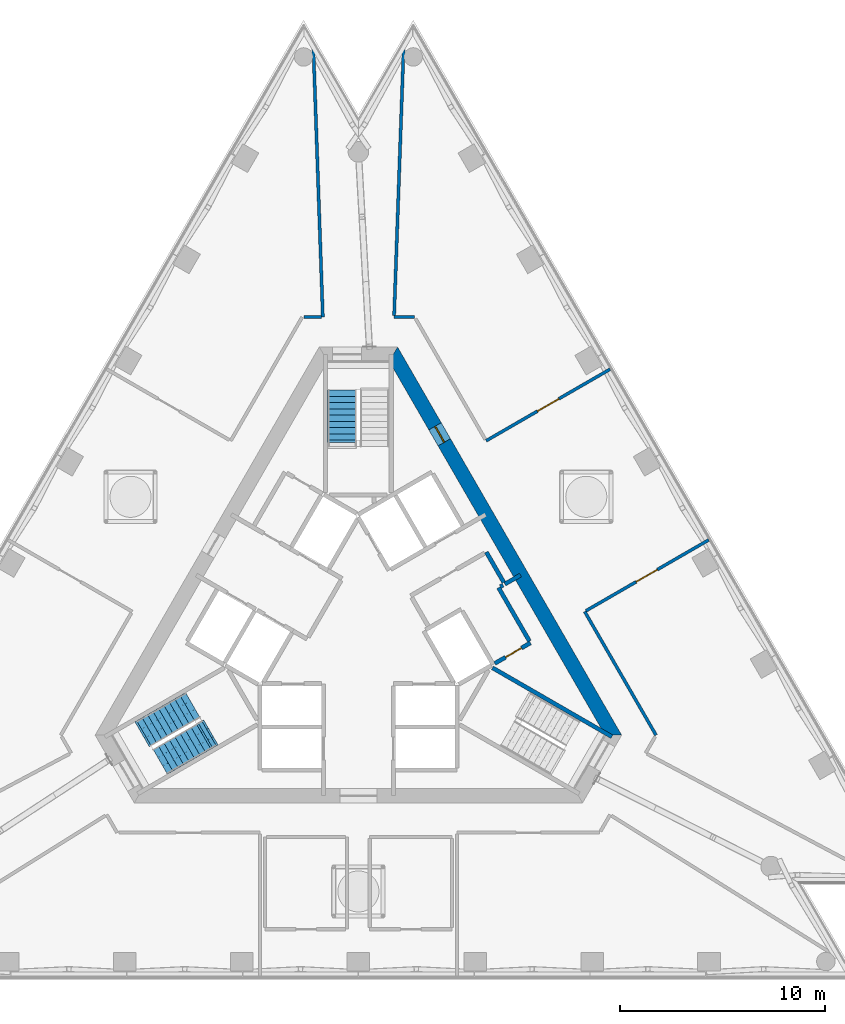
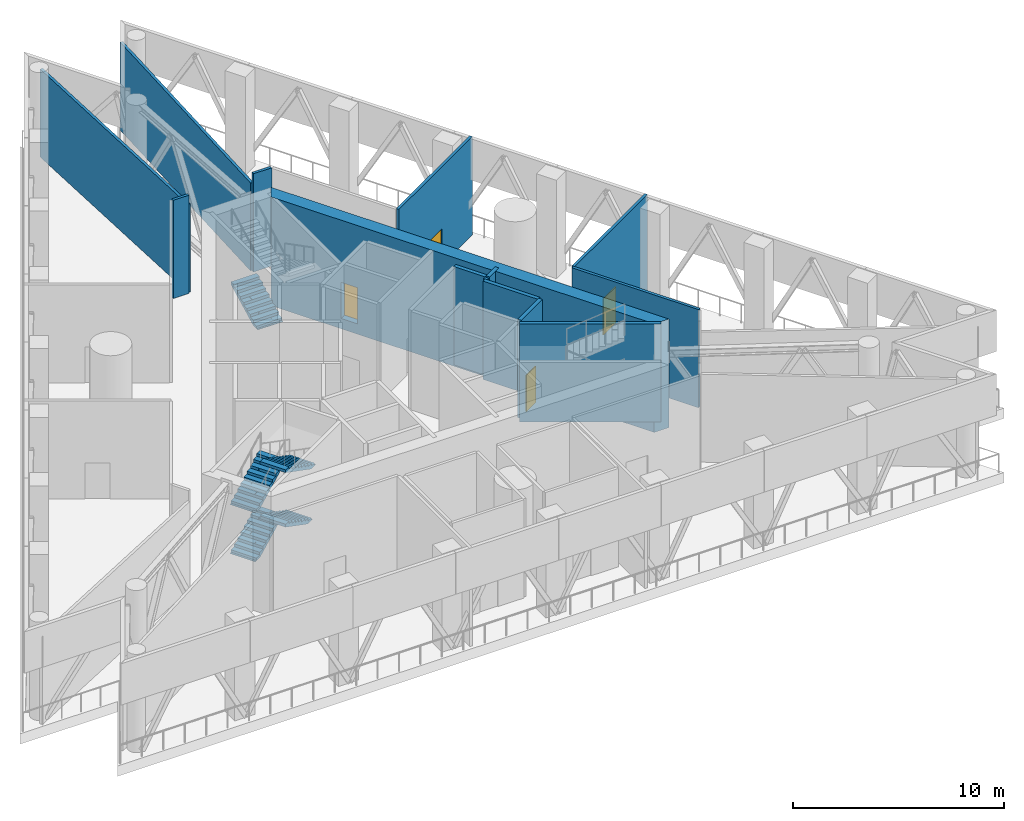
# One storey, part 10 of 15: 14 walls, 5 stair flights, 4 doors, 4 openings, 2 elements without a shape of their own.
"""IFC4 building model written with IfcOpenShell, lengths in metres."""

import ifcopenshell
import ifcopenshell.guid

model = None  # the IFC model being written
_history = None  # IfcOwnerHistory: only IFC2X3 demands one
_inside = {}  # id of a spatial element -> (the spatial element, [elements in it])
_under = {}  # id of a project, library or spatial element -> (it, [spatial elements below it])
_declared = {}  # id of a project -> (the project, [libraries it declares])
_typed = {}  # id of a type object -> (the type object, [elements of that type])
_made_of = {}  # id of a material, layer set ... -> (it, [elements and type objects made of it])


def new_model(schema):
    """Start an empty IFC model of exactly this schema.

    Asked for "IFC4X3", IfcOpenShell would pick the latest addendum, in which some entities
    have other attributes; the version numbers below select the first issue.
    IFC2X3 requires an IfcOwnerHistory on every rooted entity: one is made here for all.
    """
    global model, _history
    if schema == "IFC4X3":
        model = ifcopenshell.file(schema_version=(4, 3, 0, 0))
    else:
        model = ifcopenshell.file(schema=schema)
    _inside.clear()
    _under.clear()
    _declared.clear()
    _typed.clear()
    _made_of.clear()
    _history = None
    if model.schema == "IFC2X3":
        org = make("IfcOrganization", Name="unknown")
        user = make(
            "IfcPersonAndOrganization",
            ThePerson=make("IfcPerson", FamilyName="unknown"),
            TheOrganization=org,
        )
        app = make(
            "IfcApplication",
            ApplicationDeveloper=org,
            Version="unknown",
            ApplicationFullName="unknown",
            ApplicationIdentifier="unknown",
        )
        _history = make(
            "IfcOwnerHistory",
            OwningUser=user,
            OwningApplication=app,
            ChangeAction="ADDED",
            CreationDate=0,
        )
    return model


def make(cls, **values):
    """One entity of the class cls with the attributes given. An attribute that is None is left unset."""
    return model.create_entity(
        cls, **{name: value for name, value in values.items() if value is not None}
    )


def rooted(cls, **values):
    """An entity with a GlobalId (a new one), such as an element, a storey or a relation."""
    return make(cls, GlobalId=ifcopenshell.guid.new(), OwnerHistory=_history, **values)


def si_unit(unit_type, name, prefix=None):
    """IfcSIUnit, for example si_unit("LENGTHUNIT", "METRE", prefix="MILLI")."""
    return make("IfcSIUnit", UnitType=unit_type, Prefix=prefix, Name=name)


def assignment(units):
    """IfcUnitAssignment: the units of a project."""
    return None if units is None else make("IfcUnitAssignment", Units=units)


def point(xyz):
    """IfcCartesianPoint."""
    return None if xyz is None else make("IfcCartesianPoint", Coordinates=xyz)


def direction(xyz):
    """IfcDirection."""
    return None if xyz is None else make("IfcDirection", DirectionRatios=xyz)


def frame(location, z_axis=None, x_axis=None):
    """IfcAxis2Placement3D, a coordinate frame: its origin and axes. An axis left out is left unset."""
    return make(
        "IfcAxis2Placement3D",
        Location=point(location),
        Axis=direction(z_axis),
        RefDirection=direction(x_axis),
    )


def frame_2d(location, x_axis=None):
    """IfcAxis2Placement2D, a coordinate frame in the plane: its origin and x axis."""
    return make(
        "IfcAxis2Placement2D", Location=point(location), RefDirection=direction(x_axis)
    )


def origin():
    """The frame at (0, 0, 0) with its axes left unset."""
    return frame((0.0, 0.0, 0.0))


def place(relative_to, where):
    """IfcLocalPlacement: puts the frame where relative to a parent placement (None: the world)."""
    return make(
        "IfcLocalPlacement", PlacementRelTo=relative_to, RelativePlacement=where
    )


def context(
    kind, dimensions, precision=None, world=None, true_north=None, identifier=None
):
    """IfcGeometricRepresentationContext, for example the 3D "Model" context."""
    return make(
        "IfcGeometricRepresentationContext",
        ContextIdentifier=identifier,
        ContextType=kind,
        CoordinateSpaceDimension=dimensions,
        Precision=precision,
        WorldCoordinateSystem=world,
        TrueNorth=true_north,
    )


def subcontext(parent, identifier, kind, view, scale=None):
    """IfcGeometricRepresentationSubContext, for example "Body" below "Model"."""
    return make(
        "IfcGeometricRepresentationSubContext",
        ContextIdentifier=identifier,
        ContextType=kind,
        ParentContext=parent,
        TargetScale=scale,
        TargetView=view,
    )


def project(units=None, contexts=None):
    """IfcProject with its units and contexts."""
    return rooted(
        "IfcProject",
        Name="project",
        RepresentationContexts=contexts,
        UnitsInContext=assignment(units),
    )


def spatial(cls, under=None, at=None, **own):
    """A site, building, storey or space (cls), placed at a placement, below another one or the project."""
    s = rooted(cls, ObjectPlacement=at, **own)
    if under is not None:
        _under.setdefault(under.id(), (under, []))[1].append(s)
    return s


def polyline(points):
    """IfcPolyline through the points."""
    return make("IfcPolyline", Points=[point(p) for p in points])


def profile(cls, at=None, kind="AREA", **sizes):
    """A parametric profile (cls). Its sizes go by their IFC names, for example OverallWidth=200.0."""
    return make(cls, ProfileType=kind, Position=at, **sizes)


def rectangle(**sizes):
    """IfcRectangleProfileDef."""
    return profile("IfcRectangleProfileDef", **sizes)


def outline(outer, holes=None, kind="AREA"):
    """IfcArbitraryClosedProfileDef: a profile drawn as a closed curve; with holes, ...WithVoids."""
    if holes is None:
        return make("IfcArbitraryClosedProfileDef", ProfileType=kind, OuterCurve=outer)
    return make(
        "IfcArbitraryProfileDefWithVoids",
        ProfileType=kind,
        OuterCurve=outer,
        InnerCurves=holes,
    )


def extrude(swept, where, along, depth):
    """IfcExtrudedAreaSolid: the profile swept, set in the frame where, extruded along a direction by depth."""
    return make(
        "IfcExtrudedAreaSolid",
        SweptArea=swept,
        Position=where,
        ExtrudedDirection=direction(along),
        Depth=depth,
    )


def shape(context_of_items, identifier, shape_type, items):
    """IfcShapeRepresentation: the items that make up one representation, for example the "Body"."""
    return make(
        "IfcShapeRepresentation",
        ContextOfItems=context_of_items,
        RepresentationIdentifier=identifier,
        RepresentationType=shape_type,
        Items=items,
    )


def material(Name=None, Category=None):
    """IfcMaterial."""
    return make("IfcMaterial", Name=Name, Category=Category)


def layer(
    of_material, thickness, ventilated=None, Name=None, Category=None, Priority=None
):
    """IfcMaterialLayer: one layer of a wall or slab, of a material (None: an air gap)."""
    return make(
        "IfcMaterialLayer",
        Material=of_material,
        LayerThickness=thickness,
        IsVentilated=ventilated,
        Name=Name,
        Category=Category,
        Priority=Priority,
    )


def layer_set(layers, Name=None):
    """IfcMaterialLayerSet."""
    return make("IfcMaterialLayerSet", MaterialLayers=layers, LayerSetName=Name)


def made_of(thing, what):
    """Note that an element or type object is made of a material, layer set ...; save() writes the relation."""
    if what is not None:
        _made_of.setdefault(what.id(), (what, []))[1].append(thing)
    return thing


def type_object(cls, material=None, **own):
    """A type object (cls), such as IfcWallType, which elements share."""
    return made_of(rooted(cls, **own), material)


def element(
    cls,
    number,
    at=None,
    inside=None,
    cuts=None,
    type_object=None,
    material=None,
    context=None,
    identifier="Body",
    shape_type=None,
    held_by="IfcProductDefinitionShape",
    body=None,
    shapes=None,
    **own,
):
    """One element of the class cls, such as IfcWall. Its Tag is "e" and its number.

    at: its placement. inside: the storey or other place that contains it. cuts: it is an
    opening in that element (IfcRelVoidsElement). A single representation is given by context,
    identifier, shape_type and body (its items); several are given by shapes. held_by: the class
    of the entity that holds the representations. save() writes the other relations.
    """
    e = rooted(cls, Tag="e%d" % number, ObjectPlacement=at, **own)
    if body is not None:
        shapes = [shape(context, identifier, shape_type, body)]
    if shapes is not None:
        e.Representation = make(held_by, Representations=shapes)
    if inside is not None:
        _inside.setdefault(inside.id(), (inside, []))[1].append(e)
    if cuts is not None:
        rooted(
            "IfcRelVoidsElement", RelatingBuildingElement=cuts, RelatedOpeningElement=e
        )
    if type_object is not None:
        _typed.setdefault(type_object.id(), (type_object, []))[1].append(e)
    return made_of(e, material)


def fill(opening, filler):
    """IfcRelFillsElement: the door or window that sits in an opening."""
    return rooted(
        "IfcRelFillsElement",
        RelatingOpeningElement=opening,
        RelatedBuildingElement=filler,
    )


def aggregate(whole, parts):
    """IfcRelAggregates: a whole, such as a stair, and the parts it consists of."""
    return rooted("IfcRelAggregates", RelatingObject=whole, RelatedObjects=parts)


def save(model, path):
    """Write the relations noted so far, then the file.

    IfcRelAggregates (storeys below a building ...), IfcRelContainedInSpatialStructure (elements
    in a storey), IfcRelDefinesByType, IfcRelAssociatesMaterial and IfcRelDeclares: one each for
    every whole, place, type object, material and project.
    """
    for whole, parts in _under.values():
        aggregate(whole, parts)
    for where, things in _inside.values():
        rooted(
            "IfcRelContainedInSpatialStructure",
            RelatedElements=things,
            RelatingStructure=where,
        )
    for kind, things in _typed.values():
        rooted("IfcRelDefinesByType", RelatedObjects=things, RelatingType=kind)
    for what, things in _made_of.values():
        rooted("IfcRelAssociatesMaterial", RelatedObjects=things, RelatingMaterial=what)
    for by, libraries in _declared.values():
        rooted("IfcRelDeclares", RelatingContext=by, RelatedDefinitions=libraries)
    model.write(path)


model = new_model("IFC4")

# Units and contexts
model_context = context("Model", 3, precision=1e-05, world=origin(), true_north=direction((0.0, 1.0)))
body_context = subcontext(model_context, "Body", "Model", "MODEL_VIEW")
ifc_project = project(units=[si_unit("LENGTHUNIT", "METRE"), si_unit("AREAUNIT", "SQUARE_METRE"), si_unit("VOLUMEUNIT", "CUBIC_METRE"), si_unit("PLANEANGLEUNIT", "RADIAN"), si_unit("MASSUNIT", "GRAM", prefix="KILO")], contexts=[model_context])

# Site, building, storey
site_placement = place(None, origin())
site = spatial("IfcSite", under=ifc_project, at=site_placement, CompositionType="ELEMENT")
building_placement = place(site_placement, origin())
building = spatial("IfcBuilding", under=site, at=building_placement, Name="Triada Interchange Tower", CompositionType="ELEMENT")
storey_placement = place(building_placement, frame((0.0, 0.0, 255.800048828125)))
storey = spatial("IfcBuildingStorey", under=building, at=storey_placement, Name="L60", CompositionType="ELEMENT", Elevation=255.800048828125)

# Walls
ifc_material_1 = material(Name="Concrete C30/37", Category="concrete")
ifc_layer_1 = layer(ifc_material_1, 0.199951171875)
ifc_layer_set_1 = layer_set([ifc_layer_1], Name="CORE WALL 200 EI 120")
wall_type_1 = type_object("IfcWallType", Name="CORE WALL 200 EI 120", PredefinedType="SOLIDWALL", material=ifc_layer_set_1)
wall_1_placement = place(storey_placement, frame((7.12890625, 2.153076171875, 0.0), z_axis=(0.0, 0.0, 1.0), x_axis=(0.866083962871, 0.499898558967, 0.0)))
element("IfcWall", 1, at=wall_1_placement, inside=storey, type_object=wall_type_1, Name="Wall L60 50", PredefinedType="SOLIDWALL", context=body_context, shape_type="SweptSolid", body=[
    extrude(rectangle(XDim=0.880126953125, YDim=0.199951171875, at=frame_2d((0.43994140625, 0.0))), origin(), (0.0, 0.0, 1.0), 5.699951171875),
])
wall_2_placement = place(storey_placement, frame((6.22900390625, 3.7119140625, 0.0), z_axis=(0.0, 0.0, 1.0), x_axis=(0.499875724984, -0.86609714211, 0.0)))
element("IfcWall", 2, at=wall_2_placement, inside=storey, type_object=wall_type_1, Name="Wall L60 55", PredefinedType="SOLIDWALL", context=body_context, shape_type="SweptSolid", body=[
    extrude(rectangle(XDim=1.70068359375, YDim=0.199951171875, at=frame_2d((0.850341796875, 0.0))), origin(), (0.0, 0.0, 1.0), 5.699951171875),
])

# Wall, opening, door
ifc_layer_2 = layer(ifc_material_1, 0.199951171875)
ifc_layer_set_2 = layer_set([ifc_layer_2], Name="CORE WALL 200 EI 90")
wall_type_2 = type_object("IfcWallType", Name="CORE WALL 200 EI 90", PredefinedType="SOLIDWALL", material=ifc_layer_set_2)
wall_3_placement = place(storey_placement, frame((6.64208984375, -1.7080078125, 0.0), z_axis=(0.0, 0.0, 1.0), x_axis=(0.866043441391, 0.499968756647, 0.0)))
wall_3 = element("IfcWall", 3, at=wall_3_placement, inside=storey, type_object=wall_type_2, Name="Wall L60 74", PredefinedType="SOLIDWALL", context=body_context, shape_type="SweptSolid", body=[
    extrude(rectangle(XDim=2.002197265625, YDim=0.199951171875, at=frame_2d((1.0009765625, 0.0))), origin(), (0.0, 0.0, 1.0), 5.699951171875),
])
opening_1_placement = place(wall_3_placement, frame((0.60107421875, 0.0, 0.0)))
opening_1 = element("IfcOpeningElement", 4, at=opening_1_placement, cuts=wall_3, Name="Opening D60-24", PredefinedType="OPENING", context=body_context, shape_type="SweptSolid", body=[
    extrude(rectangle(XDim=0.89990234375, YDim=2.10009765625, at=frame_2d((0.449951171875, 1.050048828125))), frame((0.0, 0.10986328125, 0.0), z_axis=(0.0, -1.0, 0.0), x_axis=(1.0, 0.0, 0.0)), (0.0, 0.0, 1.0), 0.219970703125),
])
ifc_material_2 = material(Name="Steel S235 door leaf", Category="steel")
door_type_1 = type_object("IfcDoorType", Name="RISER ACCESS DOOR 900 EI2 45-C5S200", OperationType="NOTDEFINED", PredefinedType="DOOR", material=ifc_material_2)
door_1_placement = place(opening_1_placement, origin())
door_1 = element("IfcDoor", 5, at=door_1_placement, inside=storey, type_object=door_type_1, Name="Door D60-24 L60", OperationType="SINGLE_SWING_LEFT", OverallHeight=2.10009765625, OverallWidth=0.89990234375, PredefinedType="DOOR", context=body_context, shape_type="SweptSolid", body=[
    extrude(rectangle(XDim=0.89990234375, YDim=2.10009765625, at=frame_2d((0.449951171875, 1.050048828125))), frame((0.0, 0.02490234375, 0.0), z_axis=(0.0, -1.0, 0.0), x_axis=(1.0, 0.0, 0.0)), (0.0, 0.0, 1.0), 0.050048828125),
])
fill(opening_1, door_1)

# Walls
wall_4_placement = place(storey_placement, frame((6.825927734375, 1.97802734375, 0.0), z_axis=(0.0, 0.0, 1.0), x_axis=(0.499990139034, -0.866031096941, 0.0)))
element("IfcWall", 6, at=wall_4_placement, inside=storey, type_object=wall_type_2, Name="Wall L60 75", PredefinedType="SOLIDWALL", context=body_context, shape_type="SweptSolid", body=[
    extrude(rectangle(XDim=3.0, YDim=0.199951171875, at=frame_2d((1.5, 0.0))), origin(), (0.0, 0.0, 1.0), 5.699951171875),
])
wall_5_placement = place(storey_placement, frame((6.912109375, 2.028076171875, 0.0), z_axis=(0.0, 0.0, 1.0), x_axis=(0.866559367082, 0.499074005857, 0.0)))
element("IfcWall", 7, at=wall_5_placement, inside=storey, type_object=wall_type_2, Name="Wall L60 76", PredefinedType="SOLIDWALL", context=body_context, shape_type="SweptSolid", body=[
    extrude(rectangle(XDim=0.152099609375, YDim=0.199951171875, at=frame_2d((0.076171875, 0.0))), origin(), (0.0, 0.0, 1.0), 5.699951171875),
])
ifc_layer_3 = layer(ifc_material_1, 0.199951171875)
ifc_layer_set_3 = layer_set([ifc_layer_3], Name="CORE WALL 200 REI 240")
wall_type_3 = type_object("IfcWallType", Name="CORE WALL 200 REI 240", PredefinedType="SOLIDWALL", material=ifc_layer_set_3)
wall_6_placement = place(storey_placement, frame((6.529052734375, -1.922119140625, 0.0), z_axis=(0.0, 0.0, 1.0), x_axis=(0.866046323291, -0.499963764601, 0.0)))
element("IfcWall", 8, at=wall_6_placement, inside=storey, type_object=wall_type_3, Name="Wall L60 85", PredefinedType="SOLIDWALL", context=body_context, shape_type="SweptSolid", body=[
    extrude(rectangle(XDim=6.71435546875, YDim=0.199951171875, at=frame_2d((3.357177734375, 0.0))), origin(), (0.0, 0.0, 1.0), 5.699951171875),
])

# Wall, opening, door
ifc_material_3 = material(Name="Concrete C50/60", Category="concrete")
ifc_layer_4 = layer(ifc_material_3, 0.699951171875)
ifc_layer_set_4 = layer_set([ifc_layer_4], Name="Core wall C 700")
wall_type_4 = type_object("IfcWallType", Name="Core wall C 700", PredefinedType="SHEAR", material=ifc_layer_set_4)
wall_7_placement = place(storey_placement, frame((12.4130859375, -5.199951171875, -0.60009765625), z_axis=(0.0, 0.0, 1.0), x_axis=(-0.500011533395, 0.866018744874, 0.0)))
wall_7 = element("IfcWall", 9, at=wall_7_placement, inside=storey, type_object=wall_type_4, Name="Core wall WC12 L60", PredefinedType="SHEAR", context=body_context, shape_type="SweptSolid", body=[
    extrude(outline(polyline([(-0.201904296875, -0.35009765625), (1.781982421875, -0.35009765625), (3.76611328125, -0.35009765625), (5.75, -0.35009765625), (7.734130859375, -0.35009765625), (9.718017578125, -0.35009765625), (11.7021484375, -0.35009765625), (13.68603515625, -0.35009765625), (15.670166015625, -0.35009765625), (17.654052734375, -0.35009765625), (19.63818359375, -0.35009765625), (21.6220703125, -0.35009765625), (21.218017578125, 0.35009765625), (19.307373046875, 0.35009765625), (17.39697265625, 0.35009765625), (15.486328125, 0.35009765625), (13.57568359375, 0.35009765625), (11.665283203125, 0.35009765625), (9.754638671875, 0.35009765625), (7.84423828125, 0.35009765625), (5.93359375, 0.35009765625), (4.02294921875, 0.35009765625), (2.112548828125, 0.35009765625), (0.201904296875, 0.35009765625), (-0.201904296875, -0.35009765625)])), origin(), (0.0, 0.0, 1.0), 6.300048828125),
])
opening_2_placement = place(wall_7_placement, frame((16.465087890625, 0.0, 0.60009765625)))
opening_2 = element("IfcOpeningElement", 10, at=opening_2_placement, cuts=wall_7, Name="Opening D60-26", PredefinedType="OPENING", context=body_context, shape_type="SweptSolid", body=[
    extrude(rectangle(XDim=0.89990234375, YDim=2.10009765625, at=frame_2d((0.449951171875, 1.050048828125))), frame((0.0, 0.360107421875, 0.0), z_axis=(0.0, -1.0, 0.0), x_axis=(1.0, 0.0, 0.0)), (0.0, 0.0, 1.0), 0.72021484375),
])
door_2_placement = place(opening_2_placement, origin())
door_2 = element("IfcDoor", 11, at=door_2_placement, inside=storey, type_object=door_type_1, Name="Door D60-26 L60", OperationType="SINGLE_SWING_RIGHT", OverallHeight=2.10009765625, OverallWidth=0.89990234375, PredefinedType="DOOR", context=body_context, shape_type="SweptSolid", body=[
    extrude(rectangle(XDim=0.89990234375, YDim=2.10009765625, at=frame_2d((0.449951171875, 1.050048828125))), frame((0.0, 0.02490234375, 0.0), z_axis=(0.0, -1.0, 0.0), x_axis=(1.0, 0.0, 0.0)), (0.0, 0.0, 1.0), 0.050048828125),
])
fill(opening_2, door_2)

# Walls
ifc_material_4 = material(Name="Gypsum board partition")
ifc_layer_5 = layer(ifc_material_4, 0.14990234375)
ifc_layer_set_5 = layer_set([ifc_layer_5], Name="PARTITION 150 EI 180")
wall_type_5 = type_object("IfcWallType", Name="PARTITION 150 EI 180", PredefinedType="PARTITIONING", material=ifc_layer_set_5)
wall_8_placement = place(storey_placement, frame((-2.197021484375, 28.403076171875, 0.0), z_axis=(0.0, 0.0, 1.0), x_axis=(0.035070978902, -0.999384823999, 0.0)))
element("IfcWall", 12, at=wall_8_placement, inside=storey, type_object=wall_type_5, Name="Wall L60 11", PredefinedType="PARTITIONING", context=body_context, shape_type="SweptSolid", body=[
    extrude(rectangle(XDim=13.26123046875, YDim=0.14990234375, at=frame_2d((6.630615234375, 0.0))), origin(), (0.0, 0.0, 1.0), 5.099853515625),
])
wall_9_placement = place(storey_placement, frame((-2.656005859375, 15.14990234375, 0.0), z_axis=(0.0, 0.0, 1.0), x_axis=(1.0, 0.0, 0.0)))
element("IfcWall", 13, at=wall_9_placement, inside=storey, type_object=wall_type_5, Name="Wall L60 12", PredefinedType="PARTITIONING", context=body_context, shape_type="SweptSolid", body=[
    extrude(rectangle(XDim=0.84912109375, YDim=0.14990234375, at=frame_2d((0.424560546875, 0.0))), origin(), (0.0, 0.0, 1.0), 5.699951171875),
])
wall_10_placement = place(storey_placement, frame((1.737060546875, 15.14990234375, 0.0), z_axis=(0.0, 0.0, 1.0), x_axis=(1.0, 0.0, 0.0)))
element("IfcWall", 14, at=wall_10_placement, inside=storey, type_object=wall_type_5, Name="Wall L60 13", PredefinedType="PARTITIONING", context=body_context, shape_type="SweptSolid", body=[
    extrude(rectangle(XDim=1.0048828125, YDim=0.14990234375, at=frame_2d((0.50244140625, 0.0))), origin(), (0.0, 0.0, 1.0), 5.699951171875),
])

# Wall, opening, door
wall_11_placement = place(storey_placement, frame((6.217041015625, 9.132080078125, 0.0), z_axis=(0.0, 0.0, 1.0), x_axis=(0.866032219707, 0.49998819429, 0.0)))
wall_11 = element("IfcWall", 15, at=wall_11_placement, inside=storey, type_object=wall_type_5, Name="Wall L60 15", PredefinedType="PARTITIONING", context=body_context, shape_type="SweptSolid", body=[
    extrude(rectangle(XDim=6.971923828125, YDim=0.14990234375, at=frame_2d((3.48583984375, 0.0))), origin(), (0.0, 0.0, 1.0), 5.699951171875),
])
opening_3_placement = place(wall_11_placement, frame((2.885986328125, 0.0, 0.0)))
opening_3 = element("IfcOpeningElement", 16, at=opening_3_placement, cuts=wall_11, Name="Opening D60-14", PredefinedType="OPENING", context=body_context, shape_type="SweptSolid", body=[
    extrude(rectangle(XDim=1.199951171875, YDim=2.10009765625, at=frame_2d((0.60009765625, 1.050048828125))), frame((0.0, 0.0849609375, 0.0), z_axis=(0.0, -1.0, 0.0), x_axis=(1.0, 0.0, 0.0)), (0.0, 0.0, 1.0), 0.169921875),
])
door_type_2 = type_object("IfcDoorType", Name="DOUBLE ROOM DOOR 1200 EI2 45-C5S200", OperationType="DOUBLE_DOOR_SINGLE_SWING", PredefinedType="DOOR", material=ifc_material_2)
door_3_placement = place(opening_3_placement, origin())
door_3 = element("IfcDoor", 17, at=door_3_placement, inside=storey, type_object=door_type_2, Name="Door D60-14 L60", OperationType="DOUBLE_DOOR_SINGLE_SWING", OverallHeight=2.10009765625, OverallWidth=1.199951171875, PredefinedType="DOOR", context=body_context, shape_type="SweptSolid", body=[
    extrude(rectangle(XDim=1.199951171875, YDim=2.10009765625, at=frame_2d((0.60009765625, 1.050048828125))), frame((0.0, 0.02490234375, 0.0), z_axis=(0.0, -1.0, 0.0), x_axis=(1.0, 0.0, 0.0)), (0.0, 0.0, 1.0), 0.050048828125),
])
fill(opening_3, door_3)

# Walls
wall_12_placement = place(storey_placement, frame((11.01708984375, 0.818115234375, 0.0), z_axis=(0.0, 0.0, 1.0), x_axis=(0.499929268946, -0.866066236526, 0.0)))
element("IfcWall", 18, at=wall_12_placement, inside=storey, type_object=wall_type_5, Name="Wall L60 17", PredefinedType="PARTITIONING", context=body_context, shape_type="SweptSolid", body=[
    extrude(rectangle(XDim=6.94873046875, YDim=0.14990234375, at=frame_2d((3.474365234375, 0.0))), origin(), (0.0, 0.0, 1.0), 5.699951171875),
])
wall_13_placement = place(storey_placement, frame((1.739013671875, 15.22509765625, 0.0), z_axis=(0.0, 0.0, 1.0), x_axis=(0.035447493661, 0.999371540116, 0.0)))
element("IfcWall", 19, at=wall_13_placement, inside=storey, type_object=wall_type_5, Name="Wall L60 18", PredefinedType="PARTITIONING", context=body_context, shape_type="SweptSolid", body=[
    extrude(rectangle(XDim=13.203125, YDim=0.14990234375, at=frame_2d((6.6015625, 0.0))), origin(), (0.0, 0.0, 1.0), 5.099853515625),
])

# Wall, opening, door
wall_14_placement = place(storey_placement, frame((11.08203125, 0.85595703125, 0.0), z_axis=(0.0, 0.0, 1.0), x_axis=(0.866054133163, 0.499950235956, 0.0)))
wall_14 = element("IfcWall", 20, at=wall_14_placement, inside=storey, type_object=wall_type_5, Name="Wall L60 24", PredefinedType="PARTITIONING", context=body_context, shape_type="SweptSolid", body=[
    extrude(rectangle(XDim=6.896728515625, YDim=0.14990234375, at=frame_2d((3.4482421875, 0.0))), origin(), (0.0, 0.0, 1.0), 5.699951171875),
])
opening_4_placement = place(wall_14_placement, frame((2.81103515625, 0.0, 0.0)))
opening_4 = element("IfcOpeningElement", 21, at=opening_4_placement, cuts=wall_14, Name="Opening D60-13", PredefinedType="OPENING", context=body_context, shape_type="SweptSolid", body=[
    extrude(rectangle(XDim=1.199951171875, YDim=2.10009765625, at=frame_2d((0.60009765625, 1.050048828125))), frame((0.0, 0.0849609375, 0.0), z_axis=(0.0, -1.0, 0.0), x_axis=(1.0, 0.0, 0.0)), (0.0, 0.0, 1.0), 0.169921875),
])
door_4_placement = place(opening_4_placement, origin())
door_4 = element("IfcDoor", 22, at=door_4_placement, inside=storey, type_object=door_type_2, Name="Door D60-13 L60", OperationType="DOUBLE_DOOR_SINGLE_SWING", OverallHeight=2.10009765625, OverallWidth=1.199951171875, PredefinedType="DOOR", context=body_context, shape_type="SweptSolid", body=[
    extrude(rectangle(XDim=1.199951171875, YDim=2.10009765625, at=frame_2d((0.60009765625, 1.050048828125))), frame((0.0, 0.02490234375, 0.0), z_axis=(0.0, -1.0, 0.0), x_axis=(1.0, 0.0, 0.0)), (0.0, 0.0, 1.0), 0.050048828125),
])
fill(opening_4, door_4)

# Stair, stair flight
ifc_material_5 = material(Name="Concrete C35/45", Category="concrete")
stair_type = type_object("IfcStairType", Name="HALF TURN STAIR 1400", PredefinedType="HALF_TURN_STAIR", material=ifc_material_5)
stair_1_placement = place(storey_placement, origin())
stair_1 = element("IfcStair", 23, at=stair_1_placement, inside=storey, type_object=stair_type, Name="Exit stair S60-1", PredefinedType="HALF_TURN_STAIR")
stair_flight_type = type_object("IfcStairFlightType", Name="STRAIGHT STAIR FLIGHT 1400", PredefinedType="STRAIGHT", material=ifc_material_5)
stair_flight_1_placement = place(storey_placement, frame((-0.800048828125, 9.159912109375, 1.4208984375), z_axis=(0.0, 0.0, 1.0), x_axis=(0.0, 1.0, 0.0)))
stair_flight_1 = element("IfcStairFlight", 24, at=stair_flight_1_placement, type_object=stair_flight_type, Name="S60-1 flight 2", NumberOfRisers=9, NumberOfTreads=8, PredefinedType="STRAIGHT", RiserHeight=0.15789, TreadLength=0.305, context=body_context, shape_type="SweptSolid", body=[
    extrude(outline(polyline([(-0.10009765625, 0.0), (-0.10009765625, 0.02001953125), (0.0, 0.02001953125), (0.0, 0.157958984375), (0.304931640625, 0.157958984375), (0.304931640625, 0.315673828125), (0.610107421875, 0.315673828125), (0.610107421875, 0.4736328125), (0.9150390625, 0.4736328125), (0.9150390625, 0.631591796875), (1.219970703125, 0.631591796875), (1.219970703125, 0.78955078125), (1.52490234375, 0.78955078125), (1.52490234375, 0.947265625), (1.830078125, 0.947265625), (1.830078125, 1.105224609375), (2.135009765625, 1.105224609375), (2.135009765625, 1.26318359375), (2.43994140625, 1.26318359375), (2.444091796875, 1.26318359375), (2.444091796875, 1.4208984375), (2.444091796875, 1.09423828125), (0.326171875, 0.0), (-0.10009765625, 0.0)])), frame((0.0, 0.699951171875, 0.0), z_axis=(0.0, -1.0, 0.0), x_axis=(1.0, 0.0, 0.0)), (0.0, 0.0, 1.0), 0.46533203125),
    extrude(outline(polyline([(-0.10009765625, 0.0), (-0.10009765625, 0.02001953125), (0.0, 0.02001953125), (0.0, 0.157958984375), (0.304931640625, 0.157958984375), (0.304931640625, 0.315673828125), (0.610107421875, 0.315673828125), (0.610107421875, 0.4736328125), (0.9150390625, 0.4736328125), (0.9150390625, 0.631591796875), (1.219970703125, 0.631591796875), (1.219970703125, 0.78955078125), (1.52490234375, 0.78955078125), (1.52490234375, 0.947265625), (1.830078125, 0.947265625), (1.830078125, 1.105224609375), (2.135009765625, 1.105224609375), (2.135009765625, 1.26318359375), (2.43994140625, 1.26318359375), (2.444091796875, 1.26318359375), (2.444091796875, 1.4208984375), (2.444091796875, 1.09423828125), (0.326171875, 0.0), (-0.10009765625, 0.0)])), frame((0.0, 0.232666015625, 0.0), z_axis=(0.0, -1.0, 0.0), x_axis=(1.0, 0.0, 0.0)), (0.0, 0.0, 1.0), 0.46533203125),
    extrude(outline(polyline([(-0.10009765625, 0.0), (-0.10009765625, 0.02001953125), (0.0, 0.02001953125), (0.0, 0.157958984375), (0.304931640625, 0.157958984375), (0.304931640625, 0.315673828125), (0.610107421875, 0.315673828125), (0.610107421875, 0.4736328125), (0.9150390625, 0.4736328125), (0.9150390625, 0.631591796875), (1.219970703125, 0.631591796875), (1.219970703125, 0.78955078125), (1.52490234375, 0.78955078125), (1.52490234375, 0.947265625), (1.830078125, 0.947265625), (1.830078125, 1.105224609375), (2.135009765625, 1.105224609375), (2.135009765625, 1.26318359375), (2.43994140625, 1.26318359375), (2.444091796875, 1.26318359375), (2.444091796875, 1.4208984375), (2.444091796875, 1.09423828125), (0.326171875, 0.0), (-0.10009765625, 0.0)])), frame((0.0, -0.234619140625, 0.0), z_axis=(0.0, -1.0, 0.0), x_axis=(1.0, 0.0, 0.0)), (0.0, 0.0, 1.0), 0.46533203125),
])
aggregate(stair_1, [stair_flight_1])

# Stair, stair flights
stair_2_placement = place(storey_placement, origin())
stair_2 = element("IfcStair", 25, at=stair_2_placement, inside=storey, type_object=stair_type, Name="Exit stair S60-2", PredefinedType="HALF_TURN_STAIR")
stair_flight_2_placement = place(storey_placement, frame((-10.446044921875, -5.10693359375, 0.0), z_axis=(0.0, 0.0, 1.0), x_axis=(0.866025403784, 0.5, 0.0)))
stair_flight_2 = element("IfcStairFlight", 26, at=stair_flight_2_placement, type_object=stair_flight_type, Name="S60-2 flight 1", NumberOfRisers=9, NumberOfTreads=8, PredefinedType="STRAIGHT", RiserHeight=0.15789, TreadLength=0.305, context=body_context, shape_type="SweptSolid", body=[
    extrude(outline(polyline([(-0.10009765625, 0.0), (-0.10009765625, 0.02001953125), (0.0, 0.02001953125), (0.0, 0.157958984375), (0.304931640625, 0.157958984375), (0.304931640625, 0.315673828125), (0.610107421875, 0.315673828125), (0.610107421875, 0.4736328125), (0.9150390625, 0.4736328125), (0.9150390625, 0.631591796875), (1.219970703125, 0.631591796875), (1.219970703125, 0.78955078125), (1.52490234375, 0.78955078125), (1.52490234375, 0.947265625), (1.830078125, 0.947265625), (1.830078125, 1.105224609375), (2.135009765625, 1.105224609375), (2.135009765625, 1.26318359375), (2.43994140625, 1.26318359375), (2.444091796875, 1.26318359375), (2.444091796875, 1.4208984375), (2.444091796875, 1.09423828125), (0.326171875, 0.0), (-0.10009765625, 0.0)])), frame((0.0, 0.699951171875, 0.0), z_axis=(0.0, -1.0, 0.0), x_axis=(1.0, 0.0, 0.0)), (0.0, 0.0, 1.0), 0.46533203125),
    extrude(outline(polyline([(-0.10009765625, 0.0), (-0.10009765625, 0.02001953125), (0.0, 0.02001953125), (0.0, 0.157958984375), (0.304931640625, 0.157958984375), (0.304931640625, 0.315673828125), (0.610107421875, 0.315673828125), (0.610107421875, 0.4736328125), (0.9150390625, 0.4736328125), (0.9150390625, 0.631591796875), (1.219970703125, 0.631591796875), (1.219970703125, 0.78955078125), (1.52490234375, 0.78955078125), (1.52490234375, 0.947265625), (1.830078125, 0.947265625), (1.830078125, 1.105224609375), (2.135009765625, 1.105224609375), (2.135009765625, 1.26318359375), (2.43994140625, 1.26318359375), (2.444091796875, 1.26318359375), (2.444091796875, 1.4208984375), (2.444091796875, 1.09423828125), (0.326171875, 0.0), (-0.10009765625, 0.0)])), frame((0.0, 0.232666015625, 0.0), z_axis=(0.0, -1.0, 0.0), x_axis=(1.0, 0.0, 0.0)), (0.0, 0.0, 1.0), 0.46533203125),
    extrude(outline(polyline([(-0.10009765625, 0.0), (-0.10009765625, 0.02001953125), (0.0, 0.02001953125), (0.0, 0.157958984375), (0.304931640625, 0.157958984375), (0.304931640625, 0.315673828125), (0.610107421875, 0.315673828125), (0.610107421875, 0.4736328125), (0.9150390625, 0.4736328125), (0.9150390625, 0.631591796875), (1.219970703125, 0.631591796875), (1.219970703125, 0.78955078125), (1.52490234375, 0.78955078125), (1.52490234375, 0.947265625), (1.830078125, 0.947265625), (1.830078125, 1.105224609375), (2.135009765625, 1.105224609375), (2.135009765625, 1.26318359375), (2.43994140625, 1.26318359375), (2.444091796875, 1.26318359375), (2.444091796875, 1.4208984375), (2.444091796875, 1.09423828125), (0.326171875, 0.0), (-0.10009765625, 0.0)])), frame((0.0, -0.234619140625, 0.0), z_axis=(0.0, -1.0, 0.0), x_axis=(1.0, 0.0, 0.0)), (0.0, 0.0, 1.0), 0.46533203125),
])
stair_flight_3_placement = place(storey_placement, frame((-7.532958984375, -5.27294921875, 1.4208984375), z_axis=(0.0, 0.0, 1.0), x_axis=(-0.866025403784, -0.5, 0.0)))
stair_flight_3 = element("IfcStairFlight", 27, at=stair_flight_3_placement, type_object=stair_flight_type, Name="S60-2 flight 2", NumberOfRisers=9, NumberOfTreads=8, PredefinedType="STRAIGHT", RiserHeight=0.15789, TreadLength=0.305, context=body_context, shape_type="SweptSolid", body=[
    extrude(outline(polyline([(-0.10009765625, 0.0), (-0.10009765625, 0.02001953125), (0.0, 0.02001953125), (0.0, 0.157958984375), (0.304931640625, 0.157958984375), (0.304931640625, 0.315673828125), (0.610107421875, 0.315673828125), (0.610107421875, 0.4736328125), (0.9150390625, 0.4736328125), (0.9150390625, 0.631591796875), (1.219970703125, 0.631591796875), (1.219970703125, 0.78955078125), (1.52490234375, 0.78955078125), (1.52490234375, 0.947265625), (1.830078125, 0.947265625), (1.830078125, 1.105224609375), (2.135009765625, 1.105224609375), (2.135009765625, 1.26318359375), (2.43994140625, 1.26318359375), (2.444091796875, 1.26318359375), (2.444091796875, 1.4208984375), (2.444091796875, 1.09423828125), (0.326171875, 0.0), (-0.10009765625, 0.0)])), frame((0.0, 0.699951171875, 0.0), z_axis=(0.0, -1.0, 0.0), x_axis=(1.0, 0.0, 0.0)), (0.0, 0.0, 1.0), 0.46533203125),
    extrude(outline(polyline([(-0.10009765625, 0.0), (-0.10009765625, 0.02001953125), (0.0, 0.02001953125), (0.0, 0.157958984375), (0.304931640625, 0.157958984375), (0.304931640625, 0.315673828125), (0.610107421875, 0.315673828125), (0.610107421875, 0.4736328125), (0.9150390625, 0.4736328125), (0.9150390625, 0.631591796875), (1.219970703125, 0.631591796875), (1.219970703125, 0.78955078125), (1.52490234375, 0.78955078125), (1.52490234375, 0.947265625), (1.830078125, 0.947265625), (1.830078125, 1.105224609375), (2.135009765625, 1.105224609375), (2.135009765625, 1.26318359375), (2.43994140625, 1.26318359375), (2.444091796875, 1.26318359375), (2.444091796875, 1.4208984375), (2.444091796875, 1.09423828125), (0.326171875, 0.0), (-0.10009765625, 0.0)])), frame((0.0, 0.232666015625, 0.0), z_axis=(0.0, -1.0, 0.0), x_axis=(1.0, 0.0, 0.0)), (0.0, 0.0, 1.0), 0.46533203125),
    extrude(outline(polyline([(-0.10009765625, 0.0), (-0.10009765625, 0.02001953125), (0.0, 0.02001953125), (0.0, 0.157958984375), (0.304931640625, 0.157958984375), (0.304931640625, 0.315673828125), (0.610107421875, 0.315673828125), (0.610107421875, 0.4736328125), (0.9150390625, 0.4736328125), (0.9150390625, 0.631591796875), (1.219970703125, 0.631591796875), (1.219970703125, 0.78955078125), (1.52490234375, 0.78955078125), (1.52490234375, 0.947265625), (1.830078125, 0.947265625), (1.830078125, 1.105224609375), (2.135009765625, 1.105224609375), (2.135009765625, 1.26318359375), (2.43994140625, 1.26318359375), (2.444091796875, 1.26318359375), (2.444091796875, 1.4208984375), (2.444091796875, 1.09423828125), (0.326171875, 0.0), (-0.10009765625, 0.0)])), frame((0.0, -0.234619140625, 0.0), z_axis=(0.0, -1.0, 0.0), x_axis=(1.0, 0.0, 0.0)), (0.0, 0.0, 1.0), 0.46533203125),
])
stair_flight_4_placement = place(storey_placement, frame((-10.446044921875, -5.10693359375, 2.842041015625), z_axis=(0.0, 0.0, 1.0), x_axis=(0.866025403784, 0.5, 0.0)))
stair_flight_4 = element("IfcStairFlight", 28, at=stair_flight_4_placement, type_object=stair_flight_type, Name="S60-2 flight 3", NumberOfRisers=10, NumberOfTreads=9, PredefinedType="STRAIGHT", RiserHeight=0.15789, TreadLength=0.305, context=body_context, shape_type="SweptSolid", body=[
    extrude(outline(polyline([(-0.10009765625, 0.0), (-0.10009765625, 0.02001953125), (0.0, 0.02001953125), (0.0, 0.157958984375), (0.304931640625, 0.157958984375), (0.304931640625, 0.315673828125), (0.610107421875, 0.315673828125), (0.610107421875, 0.4736328125), (0.9150390625, 0.4736328125), (0.9150390625, 0.631591796875), (1.219970703125, 0.631591796875), (1.219970703125, 0.78955078125), (1.52490234375, 0.78955078125), (1.52490234375, 0.947265625), (1.830078125, 0.947265625), (1.830078125, 1.105224609375), (2.135009765625, 1.105224609375), (2.135009765625, 1.26318359375), (2.43994140625, 1.26318359375), (2.43994140625, 1.4208984375), (2.7451171875, 1.4208984375), (2.7490234375, 1.4208984375), (2.7490234375, 1.578857421875), (2.7490234375, 1.252197265625), (0.326171875, 0.0), (-0.10009765625, 0.0)])), frame((0.0, 0.699951171875, 0.0), z_axis=(0.0, -1.0, 0.0), x_axis=(1.0, 0.0, 0.0)), (0.0, 0.0, 1.0), 0.46533203125),
    extrude(outline(polyline([(-0.10009765625, 0.0), (-0.10009765625, 0.02001953125), (0.0, 0.02001953125), (0.0, 0.157958984375), (0.304931640625, 0.157958984375), (0.304931640625, 0.315673828125), (0.610107421875, 0.315673828125), (0.610107421875, 0.4736328125), (0.9150390625, 0.4736328125), (0.9150390625, 0.631591796875), (1.219970703125, 0.631591796875), (1.219970703125, 0.78955078125), (1.52490234375, 0.78955078125), (1.52490234375, 0.947265625), (1.830078125, 0.947265625), (1.830078125, 1.105224609375), (2.135009765625, 1.105224609375), (2.135009765625, 1.26318359375), (2.43994140625, 1.26318359375), (2.43994140625, 1.4208984375), (2.7451171875, 1.4208984375), (2.7490234375, 1.4208984375), (2.7490234375, 1.578857421875), (2.7490234375, 1.252197265625), (0.326171875, 0.0), (-0.10009765625, 0.0)])), frame((0.0, 0.232666015625, 0.0), z_axis=(0.0, -1.0, 0.0), x_axis=(1.0, 0.0, 0.0)), (0.0, 0.0, 1.0), 0.46533203125),
    extrude(outline(polyline([(-0.10009765625, 0.0), (-0.10009765625, 0.02001953125), (0.0, 0.02001953125), (0.0, 0.157958984375), (0.304931640625, 0.157958984375), (0.304931640625, 0.315673828125), (0.610107421875, 0.315673828125), (0.610107421875, 0.4736328125), (0.9150390625, 0.4736328125), (0.9150390625, 0.631591796875), (1.219970703125, 0.631591796875), (1.219970703125, 0.78955078125), (1.52490234375, 0.78955078125), (1.52490234375, 0.947265625), (1.830078125, 0.947265625), (1.830078125, 1.105224609375), (2.135009765625, 1.105224609375), (2.135009765625, 1.26318359375), (2.43994140625, 1.26318359375), (2.43994140625, 1.4208984375), (2.7451171875, 1.4208984375), (2.7490234375, 1.4208984375), (2.7490234375, 1.578857421875), (2.7490234375, 1.252197265625), (0.326171875, 0.0), (-0.10009765625, 0.0)])), frame((0.0, -0.234619140625, 0.0), z_axis=(0.0, -1.0, 0.0), x_axis=(1.0, 0.0, 0.0)), (0.0, 0.0, 1.0), 0.46533203125),
])
stair_flight_5_placement = place(storey_placement, frame((-7.26904296875, -5.1201171875, 4.4208984375), z_axis=(0.0, 0.0, 1.0), x_axis=(-0.866025403784, -0.5, 0.0)))
stair_flight_5 = element("IfcStairFlight", 29, at=stair_flight_5_placement, type_object=stair_flight_type, Name="S60-2 flight 4", NumberOfRisers=10, NumberOfTreads=9, PredefinedType="STRAIGHT", RiserHeight=0.15789, TreadLength=0.305, context=body_context, shape_type="SweptSolid", body=[
    extrude(outline(polyline([(-0.10009765625, 0.0), (-0.10009765625, 0.02001953125), (0.0, 0.02001953125), (0.0, 0.157958984375), (0.304931640625, 0.157958984375), (0.304931640625, 0.315673828125), (0.610107421875, 0.315673828125), (0.610107421875, 0.4736328125), (0.9150390625, 0.4736328125), (0.9150390625, 0.631591796875), (1.219970703125, 0.631591796875), (1.219970703125, 0.78955078125), (1.52490234375, 0.78955078125), (1.52490234375, 0.947265625), (1.830078125, 0.947265625), (1.830078125, 1.105224609375), (2.135009765625, 1.105224609375), (2.135009765625, 1.26318359375), (2.43994140625, 1.26318359375), (2.43994140625, 1.4208984375), (2.7451171875, 1.4208984375), (2.7490234375, 1.4208984375), (2.7490234375, 1.578857421875), (2.7490234375, 1.252197265625), (0.326171875, 0.0), (-0.10009765625, 0.0)])), frame((0.0, 0.699951171875, 0.0), z_axis=(0.0, -1.0, 0.0), x_axis=(1.0, 0.0, 0.0)), (0.0, 0.0, 1.0), 0.46533203125),
    extrude(outline(polyline([(-0.10009765625, 0.0), (-0.10009765625, 0.02001953125), (0.0, 0.02001953125), (0.0, 0.157958984375), (0.304931640625, 0.157958984375), (0.304931640625, 0.315673828125), (0.610107421875, 0.315673828125), (0.610107421875, 0.4736328125), (0.9150390625, 0.4736328125), (0.9150390625, 0.631591796875), (1.219970703125, 0.631591796875), (1.219970703125, 0.78955078125), (1.52490234375, 0.78955078125), (1.52490234375, 0.947265625), (1.830078125, 0.947265625), (1.830078125, 1.105224609375), (2.135009765625, 1.105224609375), (2.135009765625, 1.26318359375), (2.43994140625, 1.26318359375), (2.43994140625, 1.4208984375), (2.7451171875, 1.4208984375), (2.7490234375, 1.4208984375), (2.7490234375, 1.578857421875), (2.7490234375, 1.252197265625), (0.326171875, 0.0), (-0.10009765625, 0.0)])), frame((0.0, 0.232666015625, 0.0), z_axis=(0.0, -1.0, 0.0), x_axis=(1.0, 0.0, 0.0)), (0.0, 0.0, 1.0), 0.46533203125),
    extrude(outline(polyline([(-0.10009765625, 0.0), (-0.10009765625, 0.02001953125), (0.0, 0.02001953125), (0.0, 0.157958984375), (0.304931640625, 0.157958984375), (0.304931640625, 0.315673828125), (0.610107421875, 0.315673828125), (0.610107421875, 0.4736328125), (0.9150390625, 0.4736328125), (0.9150390625, 0.631591796875), (1.219970703125, 0.631591796875), (1.219970703125, 0.78955078125), (1.52490234375, 0.78955078125), (1.52490234375, 0.947265625), (1.830078125, 0.947265625), (1.830078125, 1.105224609375), (2.135009765625, 1.105224609375), (2.135009765625, 1.26318359375), (2.43994140625, 1.26318359375), (2.43994140625, 1.4208984375), (2.7451171875, 1.4208984375), (2.7490234375, 1.4208984375), (2.7490234375, 1.578857421875), (2.7490234375, 1.252197265625), (0.326171875, 0.0), (-0.10009765625, 0.0)])), frame((0.0, -0.234619140625, 0.0), z_axis=(0.0, -1.0, 0.0), x_axis=(1.0, 0.0, 0.0)), (0.0, 0.0, 1.0), 0.46533203125),
])
aggregate(stair_2, [stair_flight_2, stair_flight_3, stair_flight_4, stair_flight_5])

save(model, "model.ifc")
